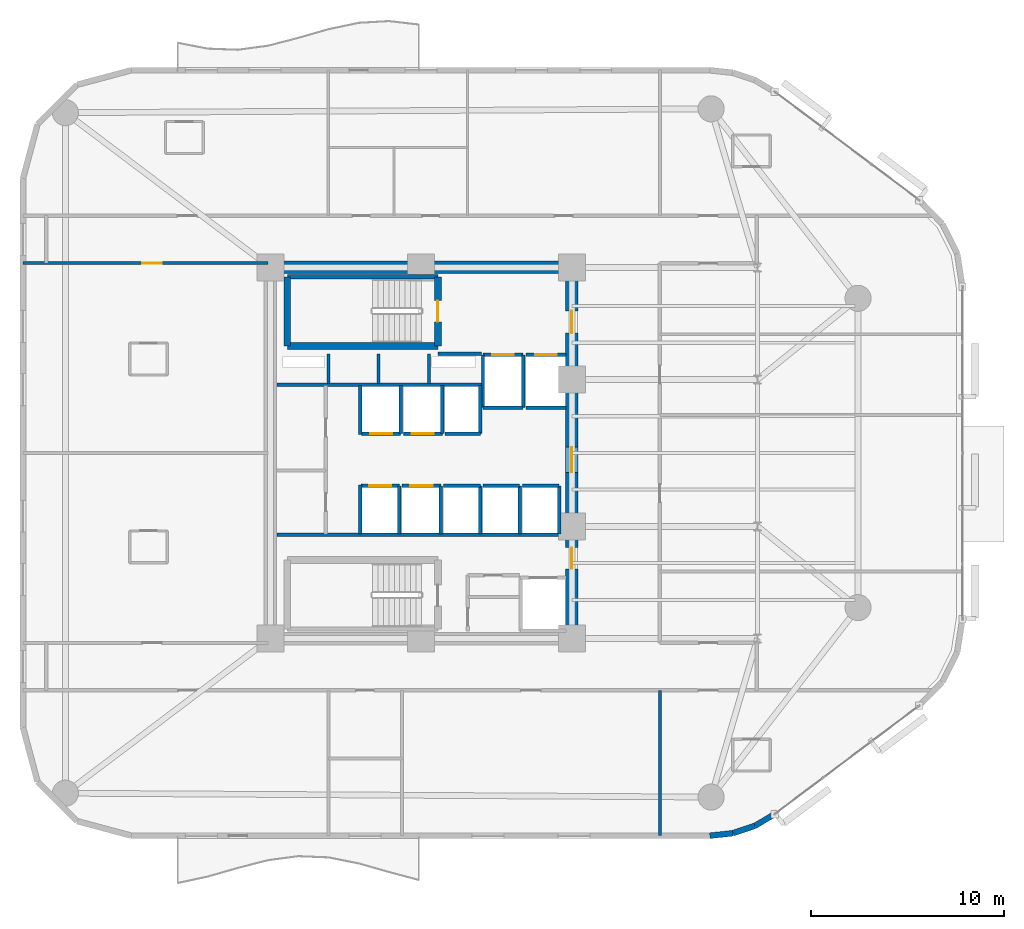
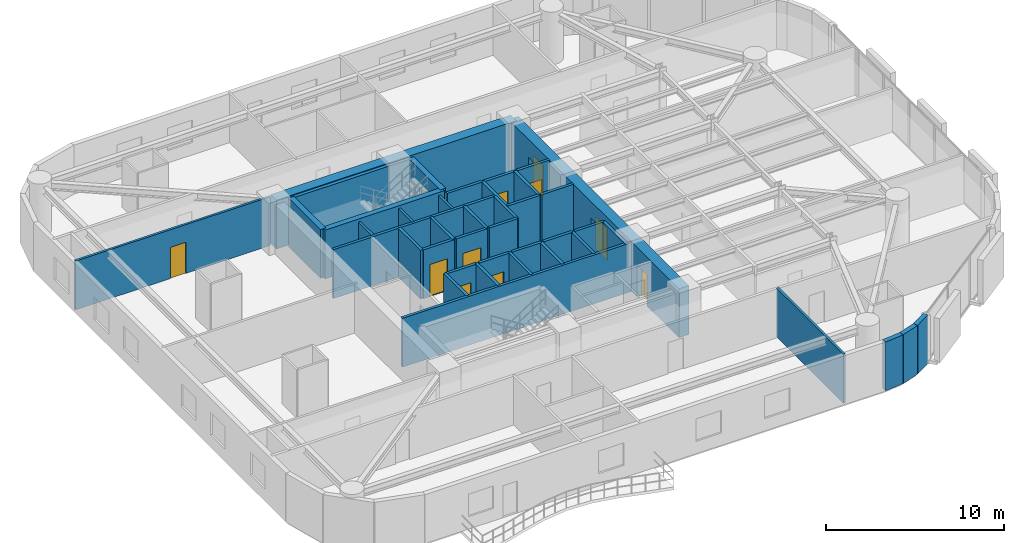
# One storey, part 11 of 15: 41 walls, 11 doors, 11 openings.
"""IFC4 building model written with IfcOpenShell, lengths in metres."""

from ifc_helpers import new_model, si_unit, direction, frame, frame_2d, origin, place, context, subcontext, project, spatial, rectangle, extrude, material, layer, layer_set, type_object, element, fill, save


model = new_model("IFC4")

# Units and contexts
model_context = context("Model", 3, precision=1e-05, world=origin(), true_north=direction((0.0, 1.0)))
body_context = subcontext(model_context, "Body", "Model", "MODEL_VIEW")
ifc_project = project(units=[si_unit("LENGTHUNIT", "METRE"), si_unit("AREAUNIT", "SQUARE_METRE"), si_unit("VOLUMEUNIT", "CUBIC_METRE"), si_unit("PLANEANGLEUNIT", "RADIAN"), si_unit("MASSUNIT", "GRAM", prefix="KILO")], contexts=[model_context])

# Site, building, storey
site_placement = place(None, origin())
site = spatial("IfcSite", under=ifc_project, at=site_placement, CompositionType="ELEMENT")
building_placement = place(site_placement, origin())
building = spatial("IfcBuilding", under=site, at=building_placement, Name="An Khanh Terracotta Commons", CompositionType="ELEMENT")
storey_placement = place(building_placement, frame((0.0, 0.0, 129.5)))
storey = spatial("IfcBuildingStorey", under=building, at=storey_placement, Name="L34", CompositionType="ELEMENT", Elevation=129.5)

# Wall
ifc_material_1 = material(Name="Concrete C60/75", Category="concrete")
ifc_layer_1 = layer(ifc_material_1, 0.64990234375, Name="Concrete C60/75")
ifc_layer_set_1 = layer_set([ifc_layer_1], Name="Concrete C60/75")
wall_type_1 = type_object("IfcWallType", Name="WALL-CORE-650", PredefinedType="SHEAR", material=ifc_layer_set_1)
wall_1_placement = place(storey_placement, frame((21.60009765625, 33.60009765625, 0.0), z_axis=(0.0, 0.0, 1.0), x_axis=(1.0, 0.0, 0.0)))
element("IfcWall", 1, at=wall_1_placement, inside=storey, type_object=wall_type_1, Name="L34 Core Wall CWALL-L34-N", PredefinedType="SHEAR", context=body_context, shape_type="SweptSolid", body=[
    extrude(rectangle(XDim=15.599853515625, YDim=0.64990234375, at=frame_2d((7.7998046875, 0.0))), origin(), (0.0, 0.0, 1.0), 3.360107421875),
])

# Wall, openings, doors
wall_2_placement = place(storey_placement, frame((37.199951171875, 14.39990234375, 0.0), z_axis=(0.0, 0.0, 1.0), x_axis=(0.0, 1.0, 0.0)))
wall_2 = element("IfcWall", 2, at=wall_2_placement, inside=storey, type_object=wall_type_1, Name="L34 Core Wall CWALL-L34-E", PredefinedType="SHEAR", context=body_context, shape_type="SweptSolid", body=[
    extrude(rectangle(XDim=19.2001953125, YDim=0.64990234375, at=frame_2d((9.60009765625, 0.0))), origin(), (0.0, 0.0, 1.0), 3.360107421875),
])
opening_1_placement = place(wall_2_placement, frame((15.800048828125, 0.0, 0.0)))
opening_1 = element("IfcOpeningElement", 3, at=opening_1_placement, cuts=wall_2, Name="Opening D-FFL", PredefinedType="OPENING", context=body_context, shape_type="SweptSolid", body=[
    extrude(rectangle(XDim=1.14990234375, YDim=2.14990234375, at=frame_2d((0.574951171875, 1.074951171875))), frame((0.0, 0.3349609375, 0.0), z_axis=(0.0, -1.0, 0.0), x_axis=(1.0, 0.0, 0.0)), (0.0, 0.0, 1.0), 0.669921875),
])
opening_2_placement = place(wall_2_placement, frame((3.60009765625, 0.0, 0.0)))
opening_2 = element("IfcOpeningElement", 4, at=opening_2_placement, cuts=wall_2, Name="Opening D-ST", PredefinedType="OPENING", context=body_context, shape_type="SweptSolid", body=[
    extrude(rectangle(XDim=1.10009765625, YDim=2.14990234375, at=frame_2d((0.550048828125, 1.074951171875))), frame((0.0, 0.3349609375, 0.0), z_axis=(0.0, -1.0, 0.0), x_axis=(1.0, 0.0, 0.0)), (0.0, 0.0, 1.0), 0.669921875),
])
opening_3_placement = place(wall_2_placement, frame((8.60009765625, 0.0, 0.0)))
opening_3 = element("IfcOpeningElement", 5, at=opening_3_placement, cuts=wall_2, Name="Opening D-COR", PredefinedType="OPENING", context=body_context, shape_type="SweptSolid", body=[
    extrude(rectangle(XDim=1.300048828125, YDim=2.199951171875, at=frame_2d((0.64990234375, 1.10009765625))), frame((0.0, 0.3349609375, 0.0), z_axis=(0.0, -1.0, 0.0), x_axis=(1.0, 0.0, 0.0)), (0.0, 0.0, 1.0), 0.669921875),
])
ifc_material_2 = material(Name="Fire-Rated Glazed Steel Double Door", Category="steel")
door_type_1 = type_object("IfcDoorType", Name="DOOR-CORR-1300", OperationType="NOTDEFINED", PredefinedType="DOOR", material=ifc_material_2)
door_1_placement = place(opening_3_placement, origin())
door_1 = element("IfcDoor", 6, at=door_1_placement, inside=storey, type_object=door_type_1, Name="L34 Passenger Lift Lobby Double Door", OperationType="DOUBLE_DOOR_SINGLE_SWING", OverallHeight=2.199951171875, OverallWidth=1.300048828125, PredefinedType="DOOR", context=body_context, shape_type="SweptSolid", body=[
    extrude(rectangle(XDim=1.300048828125, YDim=2.199951171875, at=frame_2d((0.64990234375, 1.10009765625))), frame((0.0, 0.02490234375, 0.0), z_axis=(0.0, -1.0, 0.0), x_axis=(1.0, 0.0, 0.0)), (0.0, 0.0, 1.0), 0.050048828125),
])
fill(opening_3, door_1)
ifc_material_3 = material(Name="Fire-Rated Steel Leaf and Vision Panel", Category="steel")
door_type_2 = type_object("IfcDoorType", Name="DOOR-FFL-1150", OperationType="NOTDEFINED", PredefinedType="DOOR", material=ifc_material_3)
door_2_placement = place(opening_1_placement, origin())
door_2 = element("IfcDoor", 7, at=door_2_placement, inside=storey, type_object=door_type_2, Name="L34 Firefighting Lift Lobby Fire Door", OperationType="SINGLE_SWING_RIGHT", OverallHeight=2.14990234375, OverallWidth=1.14990234375, PredefinedType="DOOR", context=body_context, shape_type="SweptSolid", body=[
    extrude(rectangle(XDim=1.14990234375, YDim=2.14990234375, at=frame_2d((0.574951171875, 1.074951171875))), frame((0.0, 0.02490234375, 0.0), z_axis=(0.0, -1.0, 0.0), x_axis=(1.0, 0.0, 0.0)), (0.0, 0.0, 1.0), 0.050048828125),
])
fill(opening_1, door_2)
ifc_material_4 = material(Name="Fire-Rated Steel Leaf and Frame", Category="steel")
door_type_3 = type_object("IfcDoorType", Name="DOOR-STAIR-1100", OperationType="NOTDEFINED", PredefinedType="DOOR", material=ifc_material_4)
door_3_placement = place(opening_2_placement, origin())
door_3 = element("IfcDoor", 8, at=door_3_placement, inside=storey, type_object=door_type_3, Name="L34 South Stair Lobby Fire Door", OperationType="SINGLE_SWING_LEFT", OverallHeight=2.14990234375, OverallWidth=1.10009765625, PredefinedType="DOOR", context=body_context, shape_type="SweptSolid", body=[
    extrude(rectangle(XDim=1.10009765625, YDim=2.14990234375, at=frame_2d((0.550048828125, 1.074951171875))), frame((0.0, 0.02490234375, 0.0), z_axis=(0.0, -1.0, 0.0), x_axis=(1.0, 0.0, 0.0)), (0.0, 0.0, 1.0), 0.050048828125),
])
fill(opening_2, door_3)

# Walls
ifc_material_5 = material(Name="Fire-Rated Gypsum Board on Steel Stud", Category="steel")
ifc_layer_2 = layer(ifc_material_5, 0.179931640625, Name="Fire-Rated Gypsum Board on Steel Stud")
ifc_layer_set_2 = layer_set([ifc_layer_2], Name="Fire-Rated Gypsum Board on Steel Stud")
wall_type_2 = type_object("IfcWallType", Name="WALL-CORR-180", PredefinedType="PARTITIONING", material=ifc_layer_set_2)
wall_3_placement = place(storey_placement, frame((30.27001953125, 29.1201171875, 0.0), z_axis=(0.0, 0.0, 1.0), x_axis=(1.0, 0.0, 0.0)))
element("IfcWall", 9, at=wall_3_placement, inside=storey, type_object=wall_type_2, Name="L34 Core Wall FFLW-L34-S", PredefinedType="PARTITIONING", context=body_context, shape_type="SweptSolid", body=[
    extrude(rectangle(XDim=2.239990234375, YDim=0.179931640625, at=frame_2d((1.1201171875, 0.0))), origin(), (0.0, 0.0, 1.0), 3.360107421875),
])
wall_4_placement = place(storey_placement, frame((21.949951171875, 27.5400390625, 0.0), z_axis=(0.0, 0.0, 1.0), x_axis=(1.0, 0.0, 0.0)))
element("IfcWall", 10, at=wall_4_placement, inside=storey, type_object=wall_type_2, Name="L34 Core Wall RSRW-L34-S", PredefinedType="PARTITIONING", context=body_context, shape_type="SweptSolid", body=[
    extrude(rectangle(XDim=10.56005859375, YDim=0.179931640625, at=frame_2d((5.280029296875, 0.0))), origin(), (0.0, 0.0, 1.0), 3.360107421875),
])
wall_5_placement = place(storey_placement, frame((21.949951171875, 19.760009765625, 0.0), z_axis=(0.0, 0.0, 1.0), x_axis=(1.0, 0.0, 0.0)))
element("IfcWall", 11, at=wall_5_placement, inside=storey, type_object=wall_type_2, Name="L34 Core Wall SVW-L34-N", PredefinedType="PARTITIONING", context=body_context, shape_type="SweptSolid", body=[
    extrude(rectangle(XDim=14.8701171875, YDim=0.179931640625, at=frame_2d((7.43505859375, 0.0))), origin(), (0.0, 0.0, 1.0), 3.360107421875),
])

# Wall, opening, door
wall_6_placement = place(storey_placement, frame((32.60009765625, 29.080078125, 0.0), z_axis=(0.0, 0.0, 1.0), x_axis=(1.0, 0.0, 0.0)))
wall_6 = element("IfcWall", 12, at=wall_6_placement, inside=storey, type_object=wall_type_2, Name="L34 Core Wall LSH-L34-FFL-01-N", PredefinedType="PARTITIONING", context=body_context, shape_type="SweptSolid", body=[
    extrude(rectangle(XDim=2.079833984375, YDim=0.179931640625, at=frame_2d((1.0400390625, 0.0))), origin(), (0.0, 0.0, 1.0), 3.360107421875),
])
opening_4_placement = place(wall_6_placement, frame((0.489990234375, 0.0, 0.0)))
opening_4 = element("IfcOpeningElement", 13, at=opening_4_placement, cuts=wall_6, Name="Opening LD-FFL-01-L34", PredefinedType="OPENING", context=body_context, shape_type="SweptSolid", body=[
    extrude(rectangle(XDim=1.10009765625, YDim=2.199951171875, at=frame_2d((0.550048828125, 1.10009765625))), frame((0.0, 0.099853515625, 0.0), z_axis=(0.0, -1.0, 0.0), x_axis=(1.0, 0.0, 0.0)), (0.0, 0.0, 1.0), 0.199951171875),
])
ifc_material_6 = material(Name="Brushed Stainless Steel Fire Landing Door", Category="steel")
door_type_4 = type_object("IfcDoorType", Name="DOOR-LD-FFL-1100", OperationType="NOTDEFINED", PredefinedType="DOOR", material=ifc_material_6)
door_4_placement = place(opening_4_placement, origin())
door_4 = element("IfcDoor", 14, at=door_4_placement, inside=storey, type_object=door_type_4, Name="L34 Lift FFL-01 Sliding Landing Door", OperationType="DOUBLE_DOOR_SLIDING", OverallHeight=2.199951171875, OverallWidth=1.10009765625, PredefinedType="DOOR", context=body_context, shape_type="SweptSolid", body=[
    extrude(rectangle(XDim=1.10009765625, YDim=2.199951171875, at=frame_2d((0.550048828125, 1.10009765625))), frame((0.0, 0.02490234375, 0.0), z_axis=(0.0, -1.0, 0.0), x_axis=(1.0, 0.0, 0.0)), (0.0, 0.0, 1.0), 0.050048828125),
])
fill(opening_4, door_4)

# Walls
wall_7_placement = place(storey_placement, frame((34.679931640625, 26.35009765625, 0.0), z_axis=(0.0, 0.0, 1.0), x_axis=(-1.0, 0.0, 0.0)))
element("IfcWall", 15, at=wall_7_placement, inside=storey, type_object=wall_type_2, Name="L34 Core Wall LSH-L34-FFL-01-S", PredefinedType="PARTITIONING", context=body_context, shape_type="SweptSolid", body=[
    extrude(rectangle(XDim=2.079833984375, YDim=0.179931640625, at=frame_2d((1.0400390625, 0.0))), origin(), (0.0, 0.0, 1.0), 3.360107421875),
])
for number, where, z_axis, x_axis, name in (
    (16, (34.679931640625, 26.35009765625, 0.0), (0.0, 0.0, 1.0), (0.0, 1.0, 0.0), "L34 Core Wall LSH-L34-FFL-01-E"),
    (17, (32.60009765625, 29.080078125, 0.0), (0.0, 0.0, 1.0), (0.0, -1.0, 0.0), "L34 Core Wall LSH-L34-FFL-01-W"),
):
    element("IfcWall", number, at=place(storey_placement, frame(where, z_axis=z_axis, x_axis=x_axis)), inside=storey, type_object=wall_type_2, Name=name, PredefinedType="PARTITIONING", context=body_context, shape_type="SweptSolid", body=[
        extrude(rectangle(XDim=2.72998046875, YDim=0.179931640625, at=frame_2d((1.364990234375, 0.0))), origin(), (0.0, 0.0, 1.0), 3.360107421875),
    ])

# Wall, opening, door
wall_8_placement = place(storey_placement, frame((34.820068359375, 29.080078125, 0.0), z_axis=(0.0, 0.0, 1.0), x_axis=(1.0, 0.0, 0.0)))
wall_8 = element("IfcWall", 18, at=wall_8_placement, inside=storey, type_object=wall_type_2, Name="L34 Core Wall LSH-L34-FFL-02-N", PredefinedType="PARTITIONING", context=body_context, shape_type="SweptSolid", body=[
    extrude(rectangle(XDim=2.079833984375, YDim=0.179931640625, at=frame_2d((1.0400390625, 0.0))), origin(), (0.0, 0.0, 1.0), 3.360107421875),
])
opening_5_placement = place(wall_8_placement, frame((0.489990234375, 0.0, 0.0)))
opening_5 = element("IfcOpeningElement", 19, at=opening_5_placement, cuts=wall_8, Name="Opening LD-FFL-02-L34", PredefinedType="OPENING", context=body_context, shape_type="SweptSolid", body=[
    extrude(rectangle(XDim=1.10009765625, YDim=2.199951171875, at=frame_2d((0.550048828125, 1.10009765625))), frame((0.0, 0.099853515625, 0.0), z_axis=(0.0, -1.0, 0.0), x_axis=(1.0, 0.0, 0.0)), (0.0, 0.0, 1.0), 0.199951171875),
])
door_5_placement = place(opening_5_placement, origin())
door_5 = element("IfcDoor", 20, at=door_5_placement, inside=storey, type_object=door_type_4, Name="L34 Lift FFL-02 Sliding Landing Door", OperationType="DOUBLE_DOOR_SLIDING", OverallHeight=2.199951171875, OverallWidth=1.10009765625, PredefinedType="DOOR", context=body_context, shape_type="SweptSolid", body=[
    extrude(rectangle(XDim=1.10009765625, YDim=2.199951171875, at=frame_2d((0.550048828125, 1.10009765625))), frame((0.0, 0.02490234375, 0.0), z_axis=(0.0, -1.0, 0.0), x_axis=(1.0, 0.0, 0.0)), (0.0, 0.0, 1.0), 0.050048828125),
])
fill(opening_5, door_5)

# Wall
wall_9_placement = place(storey_placement, frame((36.89990234375, 26.35009765625, 0.0), z_axis=(0.0, 0.0, 1.0), x_axis=(-1.0, 0.0, 0.0)))
element("IfcWall", 21, at=wall_9_placement, inside=storey, type_object=wall_type_2, Name="L34 Core Wall LSH-L34-FFL-02-S", PredefinedType="PARTITIONING", context=body_context, shape_type="SweptSolid", body=[
    extrude(rectangle(XDim=2.079833984375, YDim=0.179931640625, at=frame_2d((1.0400390625, 0.0))), origin(), (0.0, 0.0, 1.0), 3.360107421875),
])

# Wall, opening, door
wall_10_placement = place(storey_placement, frame((28.340087890625, 25.0, 0.0), z_axis=(0.0, 0.0, 1.0), x_axis=(-1.0, 0.0, 0.0)))
wall_10 = element("IfcWall", 22, at=wall_10_placement, inside=storey, type_object=wall_type_2, Name="L34 Core Wall LSH-L34-PL-M1-S", PredefinedType="PARTITIONING", context=body_context, shape_type="SweptSolid", body=[
    extrude(rectangle(XDim=2.02001953125, YDim=0.179931640625, at=frame_2d((1.010009765625, 0.0))), origin(), (0.0, 0.0, 1.0), 3.360107421875),
])
opening_6_placement = place(wall_10_placement, frame((0.43505859375, 0.0, 0.0)))
opening_6 = element("IfcOpeningElement", 23, at=opening_6_placement, cuts=wall_10, Name="Opening LD-PL-M1-L34", PredefinedType="OPENING", context=body_context, shape_type="SweptSolid", body=[
    extrude(rectangle(XDim=1.14990234375, YDim=2.199951171875, at=frame_2d((0.574951171875, 1.10009765625))), frame((0.0, 0.099853515625, 0.0), z_axis=(0.0, -1.0, 0.0), x_axis=(1.0, 0.0, 0.0)), (0.0, 0.0, 1.0), 0.199951171875),
])
ifc_material_7 = material(Name="Brushed Stainless Steel Passenger Landing Door", Category="steel")
door_type_5 = type_object("IfcDoorType", Name="DOOR-LD-PAX-1150", OperationType="NOTDEFINED", PredefinedType="DOOR", material=ifc_material_7)
door_6_placement = place(opening_6_placement, origin())
door_6 = element("IfcDoor", 24, at=door_6_placement, inside=storey, type_object=door_type_5, Name="L34 Lift PL-M1 Sliding Landing Door", OperationType="DOUBLE_DOOR_SLIDING", OverallHeight=2.199951171875, OverallWidth=1.14990234375, PredefinedType="DOOR", context=body_context, shape_type="SweptSolid", body=[
    extrude(rectangle(XDim=1.14990234375, YDim=2.199951171875, at=frame_2d((0.574951171875, 1.10009765625))), frame((0.0, 0.02490234375, 0.0), z_axis=(0.0, -1.0, 0.0), x_axis=(1.0, 0.0, 0.0)), (0.0, 0.0, 1.0), 0.050048828125),
])
fill(opening_6, door_6)

# Wall
wall_11_placement = place(storey_placement, frame((28.340087890625, 25.0, 0.0), z_axis=(0.0, 0.0, 1.0), x_axis=(0.0, 1.0, 0.0)))
element("IfcWall", 25, at=wall_11_placement, inside=storey, type_object=wall_type_2, Name="L34 Core Wall LSH-L34-PL-M1-E", PredefinedType="PARTITIONING", context=body_context, shape_type="SweptSolid", body=[
    extrude(rectangle(XDim=2.5, YDim=0.179931640625, at=frame_2d((1.25, 0.0))), origin(), (0.0, 0.0, 1.0), 3.360107421875),
])

# Wall, opening, door
wall_12_placement = place(storey_placement, frame((30.5, 25.0, 0.0), z_axis=(0.0, 0.0, 1.0), x_axis=(-1.0, 0.0, 0.0)))
wall_12 = element("IfcWall", 26, at=wall_12_placement, inside=storey, type_object=wall_type_2, Name="L34 Core Wall LSH-L34-PL-M2-S", PredefinedType="PARTITIONING", context=body_context, shape_type="SweptSolid", body=[
    extrude(rectangle(XDim=2.02001953125, YDim=0.179931640625, at=frame_2d((1.010009765625, 0.0))), origin(), (0.0, 0.0, 1.0), 3.360107421875),
])
opening_7_placement = place(wall_12_placement, frame((0.43505859375, 0.0, 0.0)))
opening_7 = element("IfcOpeningElement", 27, at=opening_7_placement, cuts=wall_12, Name="Opening LD-PL-M2-L34", PredefinedType="OPENING", context=body_context, shape_type="SweptSolid", body=[
    extrude(rectangle(XDim=1.14990234375, YDim=2.199951171875, at=frame_2d((0.574951171875, 1.10009765625))), frame((0.0, 0.099853515625, 0.0), z_axis=(0.0, -1.0, 0.0), x_axis=(1.0, 0.0, 0.0)), (0.0, 0.0, 1.0), 0.199951171875),
])
door_7_placement = place(opening_7_placement, origin())
door_7 = element("IfcDoor", 28, at=door_7_placement, inside=storey, type_object=door_type_5, Name="L34 Lift PL-M2 Sliding Landing Door", OperationType="DOUBLE_DOOR_SLIDING", OverallHeight=2.199951171875, OverallWidth=1.14990234375, PredefinedType="DOOR", context=body_context, shape_type="SweptSolid", body=[
    extrude(rectangle(XDim=1.14990234375, YDim=2.199951171875, at=frame_2d((0.574951171875, 1.10009765625))), frame((0.0, 0.02490234375, 0.0), z_axis=(0.0, -1.0, 0.0), x_axis=(1.0, 0.0, 0.0)), (0.0, 0.0, 1.0), 0.050048828125),
])
fill(opening_7, door_7)

# Wall
wall_13_placement = place(storey_placement, frame((30.5, 25.0, 0.0), z_axis=(0.0, 0.0, 1.0), x_axis=(0.0, 1.0, 0.0)))
element("IfcWall", 29, at=wall_13_placement, inside=storey, type_object=wall_type_2, Name="L34 Core Wall LSH-L34-PL-M2-E", PredefinedType="PARTITIONING", context=body_context, shape_type="SweptSolid", body=[
    extrude(rectangle(XDim=2.5, YDim=0.179931640625, at=frame_2d((1.25, 0.0))), origin(), (0.0, 0.0, 1.0), 3.360107421875),
])

# Wall, opening, door
wall_14_placement = place(storey_placement, frame((26.280029296875, 22.300048828125, 0.0), z_axis=(0.0, 0.0, 1.0), x_axis=(1.0, 0.0, 0.0)))
wall_14 = element("IfcWall", 30, at=wall_14_placement, inside=storey, type_object=wall_type_2, Name="L34 Core Wall LSH-L34-PL-M3-N", PredefinedType="PARTITIONING", context=body_context, shape_type="SweptSolid", body=[
    extrude(rectangle(XDim=2.0, YDim=0.179931640625, at=frame_2d((1.0, 0.0))), origin(), (0.0, 0.0, 1.0), 3.360107421875),
])
opening_8_placement = place(wall_14_placement, frame((0.425048828125, 0.0, 0.0)))
opening_8 = element("IfcOpeningElement", 31, at=opening_8_placement, cuts=wall_14, Name="Opening LD-PL-M3-L34", PredefinedType="OPENING", context=body_context, shape_type="SweptSolid", body=[
    extrude(rectangle(XDim=1.14990234375, YDim=2.199951171875, at=frame_2d((0.574951171875, 1.10009765625))), frame((0.0, 0.099853515625, 0.0), z_axis=(0.0, -1.0, 0.0), x_axis=(1.0, 0.0, 0.0)), (0.0, 0.0, 1.0), 0.199951171875),
])
door_8_placement = place(opening_8_placement, origin())
door_8 = element("IfcDoor", 32, at=door_8_placement, inside=storey, type_object=door_type_5, Name="L34 Lift PL-M3 Sliding Landing Door", OperationType="DOUBLE_DOOR_SLIDING", OverallHeight=2.199951171875, OverallWidth=1.14990234375, PredefinedType="DOOR", context=body_context, shape_type="SweptSolid", body=[
    extrude(rectangle(XDim=1.14990234375, YDim=2.199951171875, at=frame_2d((0.574951171875, 1.10009765625))), frame((0.0, 0.02490234375, 0.0), z_axis=(0.0, -1.0, 0.0), x_axis=(1.0, 0.0, 0.0)), (0.0, 0.0, 1.0), 0.050048828125),
])
fill(opening_8, door_8)

# Wall
wall_15_placement = place(storey_placement, frame((28.280029296875, 19.800048828125, 0.0), z_axis=(0.0, 0.0, 1.0), x_axis=(0.0, 1.0, 0.0)))
element("IfcWall", 33, at=wall_15_placement, inside=storey, type_object=wall_type_2, Name="L34 Core Wall LSH-L34-PL-M3-E", PredefinedType="PARTITIONING", context=body_context, shape_type="SweptSolid", body=[
    extrude(rectangle(XDim=2.5, YDim=0.179931640625, at=frame_2d((1.25, 0.0))), origin(), (0.0, 0.0, 1.0), 3.360107421875),
])

# Wall, opening, door
wall_16_placement = place(storey_placement, frame((28.419921875, 22.300048828125, 0.0), z_axis=(0.0, 0.0, 1.0), x_axis=(1.0, 0.0, 0.0)))
wall_16 = element("IfcWall", 34, at=wall_16_placement, inside=storey, type_object=wall_type_2, Name="L34 Core Wall LSH-L34-PL-M4-N", PredefinedType="PARTITIONING", context=body_context, shape_type="SweptSolid", body=[
    extrude(rectangle(XDim=2.0, YDim=0.179931640625, at=frame_2d((1.0, 0.0))), origin(), (0.0, 0.0, 1.0), 3.360107421875),
])
opening_9_placement = place(wall_16_placement, frame((0.425048828125, 0.0, 0.0)))
opening_9 = element("IfcOpeningElement", 35, at=opening_9_placement, cuts=wall_16, Name="Opening LD-PL-M4-L34", PredefinedType="OPENING", context=body_context, shape_type="SweptSolid", body=[
    extrude(rectangle(XDim=1.14990234375, YDim=2.199951171875, at=frame_2d((0.574951171875, 1.10009765625))), frame((0.0, 0.099853515625, 0.0), z_axis=(0.0, -1.0, 0.0), x_axis=(1.0, 0.0, 0.0)), (0.0, 0.0, 1.0), 0.199951171875),
])
door_9_placement = place(opening_9_placement, origin())
door_9 = element("IfcDoor", 36, at=door_9_placement, inside=storey, type_object=door_type_5, Name="L34 Lift PL-M4 Sliding Landing Door", OperationType="DOUBLE_DOOR_SLIDING", OverallHeight=2.199951171875, OverallWidth=1.14990234375, PredefinedType="DOOR", context=body_context, shape_type="SweptSolid", body=[
    extrude(rectangle(XDim=1.14990234375, YDim=2.199951171875, at=frame_2d((0.574951171875, 1.10009765625))), frame((0.0, 0.02490234375, 0.0), z_axis=(0.0, -1.0, 0.0), x_axis=(1.0, 0.0, 0.0)), (0.0, 0.0, 1.0), 0.050048828125),
])
fill(opening_9, door_9)

# Walls
wall_17_placement = place(storey_placement, frame((30.419921875, 19.800048828125, 0.0), z_axis=(0.0, 0.0, 1.0), x_axis=(0.0, 1.0, 0.0)))
element("IfcWall", 37, at=wall_17_placement, inside=storey, type_object=wall_type_2, Name="L34 Core Wall LSH-L34-PL-M4-E", PredefinedType="PARTITIONING", context=body_context, shape_type="SweptSolid", body=[
    extrude(rectangle(XDim=2.5, YDim=0.179931640625, at=frame_2d((1.25, 0.0))), origin(), (0.0, 0.0, 1.0), 3.360107421875),
])
wall_18_placement = place(storey_placement, frame((32.4599609375, 25.0, 0.0), z_axis=(0.0, 0.0, 1.0), x_axis=(-1.0, 0.0, 0.0)))
element("IfcWall", 38, at=wall_18_placement, inside=storey, type_object=wall_type_2, Name="L34 Core Wall LSH-L34-PL-H1-S", PredefinedType="PARTITIONING", context=body_context, shape_type="SweptSolid", body=[
    extrude(rectangle(XDim=1.820068359375, YDim=0.179931640625, at=frame_2d((0.91015625, 0.0))), origin(), (0.0, 0.0, 1.0), 3.360107421875),
])
wall_19_placement = place(storey_placement, frame((32.4599609375, 25.0, 0.0), z_axis=(0.0, 0.0, 1.0), x_axis=(0.0, 1.0, 0.0)))
element("IfcWall", 39, at=wall_19_placement, inside=storey, type_object=wall_type_2, Name="L34 Core Wall LSH-L34-PL-H1-E", PredefinedType="PARTITIONING", context=body_context, shape_type="SweptSolid", body=[
    extrude(rectangle(XDim=2.5, YDim=0.179931640625, at=frame_2d((1.25, 0.0))), origin(), (0.0, 0.0, 1.0), 3.360107421875),
])
wall_20_placement = place(storey_placement, frame((30.56005859375, 22.300048828125, 0.0), z_axis=(0.0, 0.0, 1.0), x_axis=(1.0, 0.0, 0.0)))
element("IfcWall", 40, at=wall_20_placement, inside=storey, type_object=wall_type_2, Name="L34 Core Wall LSH-L34-PL-H2-N", PredefinedType="PARTITIONING", context=body_context, shape_type="SweptSolid", body=[
    extrude(rectangle(XDim=1.89990234375, YDim=0.179931640625, at=frame_2d((0.949951171875, 0.0))), origin(), (0.0, 0.0, 1.0), 3.360107421875),
])
wall_21_placement = place(storey_placement, frame((32.4599609375, 19.800048828125, 0.0), z_axis=(0.0, 0.0, 1.0), x_axis=(0.0, 1.0, 0.0)))
element("IfcWall", 41, at=wall_21_placement, inside=storey, type_object=wall_type_2, Name="L34 Core Wall LSH-L34-PL-H2-E", PredefinedType="PARTITIONING", context=body_context, shape_type="SweptSolid", body=[
    extrude(rectangle(XDim=2.5, YDim=0.179931640625, at=frame_2d((1.25, 0.0))), origin(), (0.0, 0.0, 1.0), 3.360107421875),
])
wall_22_placement = place(storey_placement, frame((32.60009765625, 22.300048828125, 0.0), z_axis=(0.0, 0.0, 1.0), x_axis=(1.0, 0.0, 0.0)))
element("IfcWall", 42, at=wall_22_placement, inside=storey, type_object=wall_type_2, Name="L34 Core Wall LSH-L34-PL-H3-N", PredefinedType="PARTITIONING", context=body_context, shape_type="SweptSolid", body=[
    extrude(rectangle(XDim=1.89990234375, YDim=0.179931640625, at=frame_2d((0.949951171875, 0.0))), origin(), (0.0, 0.0, 1.0), 3.360107421875),
])
wall_23_placement = place(storey_placement, frame((34.5, 19.800048828125, 0.0), z_axis=(0.0, 0.0, 1.0), x_axis=(0.0, 1.0, 0.0)))
element("IfcWall", 43, at=wall_23_placement, inside=storey, type_object=wall_type_2, Name="L34 Core Wall LSH-L34-PL-H3-E", PredefinedType="PARTITIONING", context=body_context, shape_type="SweptSolid", body=[
    extrude(rectangle(XDim=2.5, YDim=0.179931640625, at=frame_2d((1.25, 0.0))), origin(), (0.0, 0.0, 1.0), 3.360107421875),
])
wall_24_placement = place(storey_placement, frame((34.639892578125, 22.300048828125, 0.0), z_axis=(0.0, 0.0, 1.0), x_axis=(1.0, 0.0, 0.0)))
element("IfcWall", 44, at=wall_24_placement, inside=storey, type_object=wall_type_2, Name="L34 Core Wall LSH-L34-PL-H4-N", PredefinedType="PARTITIONING", context=body_context, shape_type="SweptSolid", body=[
    extrude(rectangle(XDim=1.900146484375, YDim=0.179931640625, at=frame_2d((0.9501953125, 0.0))), origin(), (0.0, 0.0, 1.0), 3.360107421875),
])
wall_25_placement = place(storey_placement, frame((36.5400390625, 19.800048828125, 0.0), z_axis=(0.0, 0.0, 1.0), x_axis=(0.0, 1.0, 0.0)))
element("IfcWall", 45, at=wall_25_placement, inside=storey, type_object=wall_type_2, Name="L34 Core Wall LSH-L34-PL-H4-E", PredefinedType="PARTITIONING", context=body_context, shape_type="SweptSolid", body=[
    extrude(rectangle(XDim=2.5, YDim=0.179931640625, at=frame_2d((1.25, 0.0))), origin(), (0.0, 0.0, 1.0), 3.360107421875),
])
for number, where, z_axis, x_axis, name in (
    (46, (26.25, 24.949951171875, 0.0), (0.0, 0.0, 1.0), (0.0, 1.0, 0.0), "L34 Core Wall RECW-L34-BE1"),
    (47, (26.25, 19.800048828125, 0.0), (0.0, 0.0, 1.0), (0.0, 1.0, 0.0), "L34 Core Wall RECW-L34-BE2"),
):
    element("IfcWall", number, at=place(storey_placement, frame(where, z_axis=z_axis, x_axis=x_axis)), inside=storey, type_object=wall_type_2, Name=name, PredefinedType="PARTITIONING", context=body_context, shape_type="SweptSolid", body=[
        extrude(rectangle(XDim=2.550048828125, YDim=0.179931640625, at=frame_2d((1.27490234375, 0.0))), origin(), (0.0, 0.0, 1.0), 3.360107421875),
    ])
ifc_material_8 = material(Name="Precast concrete C40/50", Category="concrete")
ifc_layer_3 = layer(ifc_material_8, 0.300048828125, Name="Precast concrete C40/50")
ifc_layer_set_3 = layer_set([ifc_layer_3], Name="Precast concrete C40/50")
wall_type_3 = type_object("IfcWallType", Name="WALL-EXT-300", PredefinedType="SOLIDWALL", material=ifc_layer_set_3)
wall_26_placement = place(storey_placement, frame((44.3330078125, 4.199951171875, 0.0), z_axis=(0.0, 0.0, 1.0), x_axis=(0.994289103787, 0.106720092254, 0.0)))
element("IfcWall", 48, at=wall_26_placement, inside=storey, type_object=wall_type_3, Name="L34 Insulated Terracotta Exterior Wall 5", PredefinedType="SOLIDWALL", context=body_context, shape_type="SweptSolid", body=[
    extrude(rectangle(XDim=1.19873046875, YDim=0.300048828125, at=frame_2d((0.599365234375, 0.0))), origin(), (0.0, 0.0, 1.0), 3.360107421875),
])
wall_27_placement = place(storey_placement, frame((45.52490234375, 4.327880859375, 0.0), z_axis=(0.0, 0.0, 1.0), x_axis=(0.948744332129, 0.316044604847, 0.0)))
element("IfcWall", 49, at=wall_27_placement, inside=storey, type_object=wall_type_3, Name="L34 Insulated Terracotta Exterior Wall 6", PredefinedType="SOLIDWALL", context=body_context, shape_type="SweptSolid", body=[
    extrude(rectangle(XDim=1.19970703125, YDim=0.300048828125, at=frame_2d((0.599853515625, 0.0))), origin(), (0.0, 0.0, 1.0), 3.360107421875),
])
wall_28_placement = place(storey_placement, frame((46.6630859375, 4.70703125, 0.0), z_axis=(0.0, 0.0, 1.0), x_axis=(0.859320591642, 0.511437308749, 0.0)))
element("IfcWall", 50, at=wall_28_placement, inside=storey, type_object=wall_type_3, Name="L34 Insulated Terracotta Exterior Wall 7", PredefinedType="SOLIDWALL", context=body_context, shape_type="SweptSolid", body=[
    extrude(rectangle(XDim=1.19873046875, YDim=0.300048828125, at=frame_2d((0.599365234375, 0.0))), origin(), (0.0, 0.0, 1.0), 3.360107421875),
])
ifc_material_9 = material(Name="Acoustic Gypsum Board Partition")
ifc_layer_4 = layer(ifc_material_9, 0.14990234375, Name="Acoustic Gypsum Board Partition")
ifc_layer_set_4 = layer_set([ifc_layer_4], Name="Acoustic Gypsum Board Partition")
wall_type_4 = type_object("IfcWallType", Name="WALL-PART-150", PredefinedType="PARTITIONING", material=ifc_layer_set_4)
for number, where, z_axis, x_axis, name in (
    (51, (24.60009765625, 27.60009765625, 0.0), (0.0, 0.0, 1.0), (0.0, 1.0, 0.0), "L34 Core Wall RSRW-L34-D1"),
    (52, (27.199951171875, 27.60009765625, 0.0), (0.0, 0.0, 1.0), (0.0, 1.0, 0.0), "L34 Core Wall RSRW-L34-D2"),
    (53, (29.800048828125, 27.60009765625, 0.0), (0.0, 0.0, 1.0), (0.0, 1.0, 0.0), "L34 Core Wall RSRW-L34-D3"),
):
    element("IfcWall", number, at=place(storey_placement, frame(where, z_axis=z_axis, x_axis=x_axis)), inside=storey, type_object=wall_type_4, Name=name, PredefinedType="PARTITIONING", context=body_context, shape_type="SweptSolid", body=[
        extrude(rectangle(XDim=1.52001953125, YDim=0.14990234375, at=frame_2d((0.760009765625, 0.0))), origin(), (0.0, 0.0, 1.0), 3.360107421875),
    ])

# Wall, opening, door
wall_29_placement = place(storey_placement, frame((8.800048828125, 33.820068359375, 0.0), z_axis=(0.0, 0.0, 1.0), x_axis=(1.0, 0.0, 0.0)))
wall_29 = element("IfcWall", 54, at=wall_29_placement, inside=storey, type_object=wall_type_4, Name="L34 Interior Partition IW-L34-E009", PredefinedType="PARTITIONING", context=body_context, shape_type="SweptSolid", body=[
    extrude(rectangle(XDim=12.679931640625, YDim=0.14990234375, at=frame_2d((6.33984375, 0.0))), origin(), (0.0, 0.0, 1.0), 3.360107421875),
])
opening_10_placement = place(wall_29_placement, frame((6.179931640625, 0.0, 0.0)))
opening_10 = element("IfcOpeningElement", 55, at=opening_10_placement, cuts=wall_29, Name="Opening D-UN", PredefinedType="OPENING", context=body_context, shape_type="SweptSolid", body=[
    extrude(rectangle(XDim=1.0, YDim=2.14990234375, at=frame_2d((0.5, 1.074951171875))), frame((0.0, 0.0849609375, 0.0), z_axis=(0.0, -1.0, 0.0), x_axis=(1.0, 0.0, 0.0)), (0.0, 0.0, 1.0), 0.169921875),
])
ifc_material_10 = material(Name="Solid-Core Hardwood Acoustic Fire Door", Category="wood")
door_type_6 = type_object("IfcDoorType", Name="DOOR-UNIT-1000", OperationType="NOTDEFINED", PredefinedType="DOOR", material=ifc_material_10)
door_10_placement = place(opening_10_placement, origin())
door_10 = element("IfcDoor", 56, at=door_10_placement, inside=storey, type_object=door_type_6, Name="L34 WW2 Kitchenette and Studio Apartment Door", OperationType="SINGLE_SWING_LEFT", OverallHeight=2.14990234375, OverallWidth=1.0, PredefinedType="DOOR", context=body_context, shape_type="SweptSolid", body=[
    extrude(rectangle(XDim=1.0, YDim=2.14990234375, at=frame_2d((0.5, 1.074951171875))), frame((0.0, 0.02490234375, 0.0), z_axis=(0.0, -1.0, 0.0), x_axis=(1.0, 0.0, 0.0)), (0.0, 0.0, 1.0), 0.050048828125),
])
fill(opening_10, door_10)

# Walls
wall_30_placement = place(storey_placement, frame((41.75, 4.199951171875, 0.0), z_axis=(0.0, 0.0, 1.0), x_axis=(0.0, 1.0, 0.0)))
element("IfcWall", 57, at=wall_30_placement, inside=storey, type_object=wall_type_4, Name="L34 Interior Partition IW-L34-E020", PredefinedType="PARTITIONING", context=body_context, shape_type="SweptSolid", body=[
    extrude(rectangle(XDim=7.52001953125, YDim=0.14990234375, at=frame_2d((3.760009765625, 0.0))), origin(), (0.0, 0.0, 1.0), 3.360107421875),
])
ifc_material_11 = material(Name="Acoustic Double-Stud Gypsum and Mineral Wool")
ifc_layer_5 = layer(ifc_material_11, 0.219970703125, Name="Acoustic Double-Stud Gypsum and Mineral Wool")
ifc_layer_set_5 = layer_set([ifc_layer_5], Name="Acoustic Double-Stud Gypsum and Mineral Wool")
wall_type_5 = type_object("IfcWallType", Name="WALL-PARTY-220", PredefinedType="PARTITIONING", material=ifc_layer_set_5)
wall_31_placement = place(storey_placement, frame((22.47998046875, 33.110107421875, 0.0), z_axis=(0.0, 0.0, 1.0), x_axis=(1.0, 0.0, 0.0)))
element("IfcWall", 58, at=wall_31_placement, inside=storey, type_object=wall_type_5, Name="L34 Core Wall STW-L34-N-N", PredefinedType="PARTITIONING", context=body_context, shape_type="SweptSolid", body=[
    extrude(rectangle(XDim=7.7900390625, YDim=0.219970703125, at=frame_2d((3.89501953125, 0.0))), origin(), (0.0, 0.0, 1.0), 3.360107421875),
])
ifc_material_12 = material(Name="Concrete C50/60", Category="concrete")
ifc_layer_6 = layer(ifc_material_12, 0.35009765625, Name="Concrete C50/60")
ifc_layer_set_6 = layer_set([ifc_layer_6], Name="Concrete C50/60")
wall_type_6 = type_object("IfcWallType", Name="WALL-SHAFT-350", PredefinedType="SOLIDWALL", material=ifc_layer_set_6)
wall_32_placement = place(storey_placement, frame((22.47998046875, 29.530029296875, 0.0), z_axis=(0.0, 0.0, 1.0), x_axis=(1.0, 0.0, 0.0)))
element("IfcWall", 59, at=wall_32_placement, inside=storey, type_object=wall_type_6, Name="L34 Core Wall STW-L34-N-S", PredefinedType="SOLIDWALL", context=body_context, shape_type="SweptSolid", body=[
    extrude(rectangle(XDim=7.7900390625, YDim=0.35009765625, at=frame_2d((3.89501953125, 0.0))), origin(), (0.0, 0.0, 1.0), 3.360107421875),
])
wall_33_placement = place(storey_placement, frame((22.47998046875, 29.530029296875, 0.0), z_axis=(0.0, 0.0, 1.0), x_axis=(0.0, 1.0, 0.0)))
element("IfcWall", 60, at=wall_33_placement, inside=storey, type_object=wall_type_6, Name="L34 Core Wall STW-L34-N-W", PredefinedType="SOLIDWALL", context=body_context, shape_type="SweptSolid", body=[
    extrude(rectangle(XDim=3.580078125, YDim=0.35009765625, at=frame_2d((1.7900390625, 0.0))), origin(), (0.0, 0.0, 1.0), 3.360107421875),
])

# Wall, opening, door
wall_34_placement = place(storey_placement, frame((30.27001953125, 29.530029296875, 0.0), z_axis=(0.0, 0.0, 1.0), x_axis=(0.0, 1.0, 0.0)))
wall_34 = element("IfcWall", 61, at=wall_34_placement, inside=storey, type_object=wall_type_6, Name="L34 Core Wall STW-L34-N-E", PredefinedType="SOLIDWALL", context=body_context, shape_type="SweptSolid", body=[
    extrude(rectangle(XDim=3.580078125, YDim=0.35009765625, at=frame_2d((1.7900390625, 0.0))), origin(), (0.0, 0.0, 1.0), 3.360107421875),
])
opening_11_placement = place(wall_34_placement, frame((1.25, 0.0, 0.0)))
opening_11 = element("IfcOpeningElement", 62, at=opening_11_placement, cuts=wall_34, Name="Opening D-ST", PredefinedType="OPENING", context=body_context, shape_type="SweptSolid", body=[
    extrude(rectangle(XDim=1.10009765625, YDim=2.14990234375, at=frame_2d((0.550048828125, 1.074951171875))), frame((0.0, 0.18505859375, 0.0), z_axis=(0.0, -1.0, 0.0), x_axis=(1.0, 0.0, 0.0)), (0.0, 0.0, 1.0), 0.3701171875),
])
door_11_placement = place(opening_11_placement, origin())
door_11 = element("IfcDoor", 63, at=door_11_placement, inside=storey, type_object=door_type_3, Name="L34 Stair ST-01 Fire Door", OperationType="SINGLE_SWING_RIGHT", OverallHeight=2.14990234375, OverallWidth=1.10009765625, PredefinedType="DOOR", context=body_context, shape_type="SweptSolid", body=[
    extrude(rectangle(XDim=1.10009765625, YDim=2.14990234375, at=frame_2d((0.550048828125, 1.074951171875))), frame((0.0, 0.02490234375, 0.0), z_axis=(0.0, -1.0, 0.0), x_axis=(1.0, 0.0, 0.0)), (0.0, 0.0, 1.0), 0.050048828125),
])
fill(opening_11, door_11)

save(model, "model.ifc")
